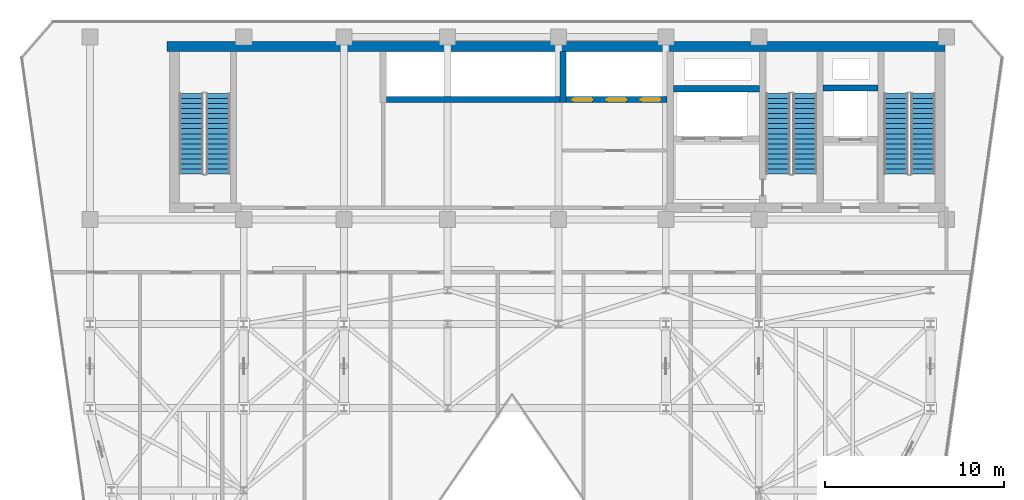
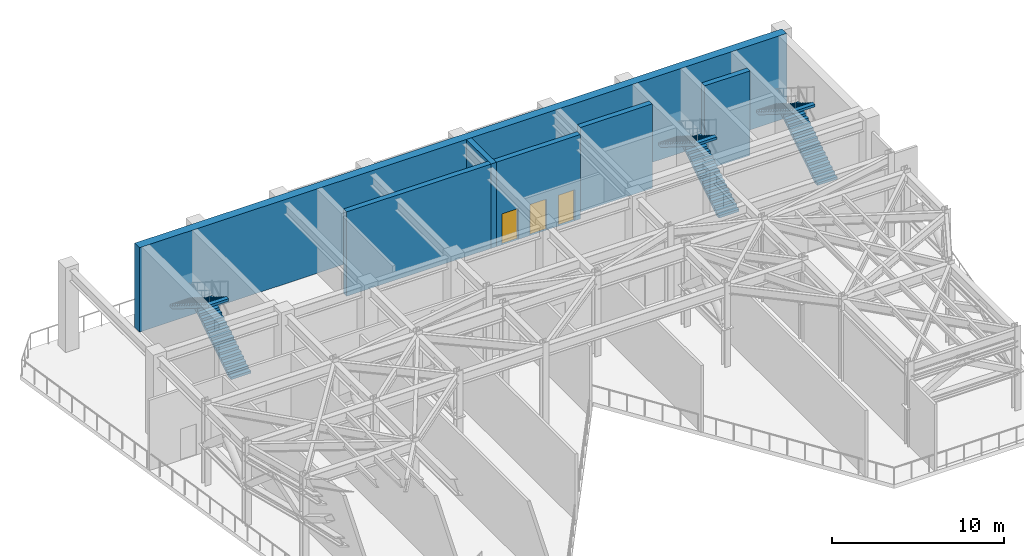
# One storey, part 5 of 12: 6 stair flights, 6 walls, 3 doors, 3 openings, 3 elements without a shape of their own.
"""IFC4 building model written with IfcOpenShell, lengths in metres."""

from ifc_helpers import new_model, si_unit, direction, frame, frame_2d, origin, place, context, subcontext, project, spatial, polyline, rectangle, outline, extrude, material, layer, layer_set, type_object, element, fill, aggregate, save


model = new_model("IFC4")

# Units and contexts
model_context = context("Model", 3, precision=1e-05, world=origin(), true_north=direction((0.0, 1.0)))
body_context = subcontext(model_context, "Body", "Model", "MODEL_VIEW")
ifc_project = project(units=[si_unit("LENGTHUNIT", "METRE"), si_unit("AREAUNIT", "SQUARE_METRE"), si_unit("VOLUMEUNIT", "CUBIC_METRE"), si_unit("PLANEANGLEUNIT", "RADIAN"), si_unit("MASSUNIT", "GRAM", prefix="KILO")], contexts=[model_context])

# Site, building, storey
site_placement = place(None, origin())
site = spatial("IfcSite", under=ifc_project, at=site_placement, CompositionType="ELEMENT")
building_placement = place(site_placement, origin())
building = spatial("IfcBuilding", under=site, at=building_placement, Name="Kravanh Interchange Tower", CompositionType="ELEMENT")
storey_placement = place(building_placement, frame((0.0, 0.0, 225.0)))
storey = spatial("IfcBuildingStorey", under=building, at=storey_placement, Name="L54", CompositionType="ELEMENT", Elevation=225.0)

# Walls
ifc_material_1 = material(Name="Concrete C60/75", Category="concrete")
ifc_layer_1 = layer(ifc_material_1, 0.35009765625)
ifc_layer_set_1 = layer_set([ifc_layer_1], Name="Core Shear Wall Concrete C60/75 350mm")
wall_type_1 = type_object("IfcWallType", Name="Core Shear Wall Concrete C60/75 350mm", PredefinedType="SHEAR", material=ifc_layer_set_1)
wall_1_placement = place(storey_placement, frame((59.60009765625, 44.699951171875, 0.0), z_axis=(0.0, 0.0, 1.0), x_axis=(1.0, 0.0, 0.0)))
element("IfcWall", 1, at=wall_1_placement, inside=storey, type_object=wall_type_1, Name="L54 Service Lift Shaft North Wall", PredefinedType="SHEAR", context=body_context, shape_type="SweptSolid", body=[
    extrude(rectangle(XDim=3.0498046875, YDim=0.35009765625, at=frame_2d((1.52490234375, 0.0))), origin(), (0.0, 0.0, 1.0), 6.0),
])
wall_2_placement = place(storey_placement, frame((51.22509765625, 44.64990234375, 0.0), z_axis=(0.0, 0.0, 1.0), x_axis=(1.0, 0.0, 0.0)))
element("IfcWall", 2, at=wall_2_placement, inside=storey, type_object=wall_type_1, Name="L54 Fire Lift Shaft North Wall", PredefinedType="SHEAR", context=body_context, shape_type="SweptSolid", body=[
    extrude(rectangle(XDim=4.824951171875, YDim=0.35009765625, at=frame_2d((2.41259765625, 0.0))), origin(), (0.0, 0.0, 1.0), 6.0),
])

# Wall, openings, doors
wall_3_placement = place(storey_placement, frame((45.22509765625, 44.050048828125, 0.0), z_axis=(0.0, 0.0, 1.0), x_axis=(1.0, 0.0, 0.0)))
wall_3 = element("IfcWall", 3, at=wall_3_placement, inside=storey, type_object=wall_type_1, Name="L54 High-Rise Lift Shaft South Wall", PredefinedType="SHEAR", context=body_context, shape_type="SweptSolid", body=[
    extrude(rectangle(XDim=5.64990234375, YDim=0.35009765625, at=frame_2d((2.824951171875, 0.0))), origin(), (0.0, 0.0, 1.0), 6.0),
])
opening_1_placement = place(wall_3_placement, frame((0.375, 0.0, 0.0)))
opening_1 = element("IfcOpeningElement", 4, at=opening_1_placement, cuts=wall_3, Name="Opening LD01", PredefinedType="OPENING", context=body_context, shape_type="SweptSolid", body=[
    extrude(rectangle(XDim=1.10009765625, YDim=2.199951171875, at=frame_2d((0.550048828125, 1.10009765625))), frame((0.0, 0.18505859375, 0.0), z_axis=(0.0, -1.0, 0.0), x_axis=(1.0, 0.0, 0.0)), (0.0, 0.0, 1.0), 0.3701171875),
])
opening_2_placement = place(wall_3_placement, frame((2.27490234375, 0.0, 0.0)))
opening_2 = element("IfcOpeningElement", 5, at=opening_2_placement, cuts=wall_3, Name="Opening LD01", PredefinedType="OPENING", context=body_context, shape_type="SweptSolid", body=[
    extrude(rectangle(XDim=1.10009765625, YDim=2.199951171875, at=frame_2d((0.550048828125, 1.10009765625))), frame((0.0, 0.18505859375, 0.0), z_axis=(0.0, -1.0, 0.0), x_axis=(1.0, 0.0, 0.0)), (0.0, 0.0, 1.0), 0.3701171875),
])
opening_3_placement = place(wall_3_placement, frame((4.175048828125, 0.0, 0.0)))
opening_3 = element("IfcOpeningElement", 6, at=opening_3_placement, cuts=wall_3, Name="Opening LD01", PredefinedType="OPENING", context=body_context, shape_type="SweptSolid", body=[
    extrude(rectangle(XDim=1.10009765625, YDim=2.199951171875, at=frame_2d((0.550048828125, 1.10009765625))), frame((0.0, 0.18505859375, 0.0), z_axis=(0.0, -1.0, 0.0), x_axis=(1.0, 0.0, 0.0)), (0.0, 0.0, 1.0), 0.3701171875),
])
ifc_material_2 = material(Name="Stainless Steel 304", Category="steel")
door_type = type_object("IfcDoorType", Name="Passenger Lift Sliding Landing Door 1100x2200", OperationType="DOUBLE_DOOR_SLIDING", PredefinedType="DOOR", material=ifc_material_2)
door_1_placement = place(opening_1_placement, origin())
door_1 = element("IfcDoor", 7, at=door_1_placement, inside=storey, type_object=door_type, Name="L54 Lift LP-H1 Landing Door", OperationType="DOUBLE_DOOR_SLIDING", OverallHeight=2.199951171875, OverallWidth=1.10009765625, PredefinedType="DOOR", context=body_context, shape_type="SweptSolid", body=[
    extrude(rectangle(XDim=1.10009765625, YDim=2.199951171875, at=frame_2d((0.550048828125, 1.10009765625))), frame((0.0, 0.02490234375, 0.0), z_axis=(0.0, -1.0, 0.0), x_axis=(1.0, 0.0, 0.0)), (0.0, 0.0, 1.0), 0.050048828125),
])
fill(opening_1, door_1)
door_2_placement = place(opening_2_placement, origin())
door_2 = element("IfcDoor", 8, at=door_2_placement, inside=storey, type_object=door_type, Name="L54 Lift LP-H2 Landing Door", OperationType="DOUBLE_DOOR_SLIDING", OverallHeight=2.199951171875, OverallWidth=1.10009765625, PredefinedType="DOOR", context=body_context, shape_type="SweptSolid", body=[
    extrude(rectangle(XDim=1.10009765625, YDim=2.199951171875, at=frame_2d((0.550048828125, 1.10009765625))), frame((0.0, 0.02490234375, 0.0), z_axis=(0.0, -1.0, 0.0), x_axis=(1.0, 0.0, 0.0)), (0.0, 0.0, 1.0), 0.050048828125),
])
fill(opening_2, door_2)
door_3_placement = place(opening_3_placement, origin())
door_3 = element("IfcDoor", 9, at=door_3_placement, inside=storey, type_object=door_type, Name="L54 Lift LP-H3 Landing Door", OperationType="DOUBLE_DOOR_SLIDING", OverallHeight=2.199951171875, OverallWidth=1.10009765625, PredefinedType="DOOR", context=body_context, shape_type="SweptSolid", body=[
    extrude(rectangle(XDim=1.10009765625, YDim=2.199951171875, at=frame_2d((0.550048828125, 1.10009765625))), frame((0.0, 0.02490234375, 0.0), z_axis=(0.0, -1.0, 0.0), x_axis=(1.0, 0.0, 0.0)), (0.0, 0.0, 1.0), 0.050048828125),
])
fill(opening_3, door_3)

# Walls
wall_4_placement = place(storey_placement, frame((45.050048828125, 43.875, 0.0), z_axis=(0.0, 0.0, 1.0), x_axis=(0.0, 1.0, 0.0)))
element("IfcWall", 10, at=wall_4_placement, inside=storey, type_object=wall_type_1, Name="L54 High-Rise Lift Shaft West Wall", PredefinedType="SHEAR", context=body_context, shape_type="SweptSolid", body=[
    extrude(rectangle(XDim=2.875, YDim=0.35009765625, at=frame_2d((1.4375, 0.0))), origin(), (0.0, 0.0, 1.0), 6.0),
])
wall_5_placement = place(storey_placement, frame((35.175048828125, 44.050048828125, 0.0), z_axis=(0.0, 0.0, 1.0), x_axis=(1.0, 0.0, 0.0)))
element("IfcWall", 11, at=wall_5_placement, inside=storey, type_object=wall_type_1, Name="L54 Mid-Rise Lift Shaft South Wall", PredefinedType="SHEAR", context=body_context, shape_type="SweptSolid", body=[
    extrude(rectangle(XDim=9.699951171875, YDim=0.35009765625, at=frame_2d((4.85009765625, 0.0))), origin(), (0.0, 0.0, 1.0), 6.0),
])
ifc_material_3 = material(Name="Concrete C70/85", Category="concrete")
ifc_layer_2 = layer(ifc_material_3, 0.550048828125)
ifc_layer_set_2 = layer_set([ifc_layer_2], Name="Core Shear Wall Concrete C70/85 550mm")
wall_type_2 = type_object("IfcWallType", Name="Core Shear Wall Concrete C70/85 550mm", PredefinedType="SHEAR", material=ifc_layer_set_2)
wall_6_placement = place(storey_placement, frame((22.89990234375, 47.02490234375, 0.0), z_axis=(0.0, 0.0, 1.0), x_axis=(1.0, 0.0, 0.0)))
element("IfcWall", 12, at=wall_6_placement, inside=storey, type_object=wall_type_2, Name="L54 North Core Shear Wall", PredefinedType="SHEAR", context=body_context, shape_type="SweptSolid", body=[
    extrude(rectangle(XDim=43.5, YDim=0.550048828125, at=frame_2d((21.75, 0.0))), origin(), (0.0, 0.0, 1.0), 6.0),
])

# Stair, stair flights
ifc_material_4 = material(Name="Concrete C50/60", Category="concrete")
stair_type = type_object("IfcStairType", Name="Core Fire Exit Dogleg Stair Concrete C50/60", PredefinedType="HALF_TURN_STAIR", material=ifc_material_4)
stair_1_placement = place(storey_placement, origin())
stair_1 = element("IfcStair", 13, at=stair_1_placement, inside=storey, type_object=stair_type, Name="L54 Exit Stair ST1", PredefinedType="HALF_TURN_STAIR")
ifc_material_5 = material(Name="Precast Concrete C50/60", Category="concrete")
ifc_layer_3 = layer(ifc_material_5, 0.199951171875)
ifc_layer_set_3 = layer_set([ifc_layer_3], Name="Precast Concrete C50/60 Stair Flight 1350mm")
stair_flight_type = type_object("IfcStairFlightType", Name="Precast Concrete C50/60 Stair Flight 1350mm", PredefinedType="STRAIGHT", material=ifc_layer_set_3)
stair_flight_1_placement = place(storey_placement, frame((65.175048828125, 39.89990234375, 0.0), z_axis=(0.0, 0.0, 1.0), x_axis=(0.0, 1.0, 0.0)))
stair_flight_1 = element("IfcStairFlight", 14, at=stair_flight_1_placement, type_object=stair_flight_type, Name="ST1 flight 1", NumberOfRisers=17, NumberOfTreads=16, PredefinedType="STRAIGHT", RiserHeight=0.176470588, TreadLength=0.28, context=body_context, shape_type="SweptSolid", body=[
    extrude(outline(polyline([(0.0, 0.0), (0.0, 0.176513671875), (0.280029296875, 0.176513671875), (0.280029296875, 0.35302734375), (0.56005859375, 0.35302734375), (0.56005859375, 0.529296875), (0.840087890625, 0.529296875), (0.840087890625, 0.705810546875), (1.1201171875, 0.705810546875), (1.1201171875, 0.88232421875), (1.39990234375, 0.88232421875), (1.39990234375, 1.058837890625), (1.679931640625, 1.058837890625), (1.679931640625, 1.2353515625), (1.9599609375, 1.2353515625), (1.9599609375, 1.411865234375), (2.239990234375, 1.411865234375), (2.239990234375, 1.588134765625), (2.52001953125, 1.588134765625), (2.52001953125, 1.7646484375), (2.800048828125, 1.7646484375), (2.800048828125, 1.941162109375), (3.080078125, 1.941162109375), (3.080078125, 2.11767578125), (3.360107421875, 2.11767578125), (3.360107421875, 2.294189453125), (3.639892578125, 2.294189453125), (3.639892578125, 2.470703125), (3.919921875, 2.470703125), (3.919921875, 2.64697265625), (4.199951171875, 2.64697265625), (4.199951171875, 2.823486328125), (4.47998046875, 2.823486328125), (4.47998046875, 3.0), (4.47998046875, 2.646240234375), (0.28125, 0.0), (0.0, 0.0)])), frame((0.0, 0.675048828125, 0.0), z_axis=(0.0, -1.0, 0.0), x_axis=(1.0, 0.0, 0.0)), (0.0, 0.0, 1.0), 1.35009765625),
])
stair_flight_2_placement = place(storey_placement, frame((63.675048828125, 44.3798828125, 3.0), z_axis=(0.0, 0.0, 1.0), x_axis=(0.0, -1.0, 0.0)))
stair_flight_2 = element("IfcStairFlight", 15, at=stair_flight_2_placement, type_object=stair_flight_type, Name="ST1 flight 2", NumberOfRisers=17, NumberOfTreads=16, PredefinedType="STRAIGHT", RiserHeight=0.176470588, TreadLength=0.28, context=body_context, shape_type="SweptSolid", body=[
    extrude(outline(polyline([(0.0, 0.0), (0.0, 0.176513671875), (0.280029296875, 0.176513671875), (0.280029296875, 0.35302734375), (0.56005859375, 0.35302734375), (0.56005859375, 0.529296875), (0.840087890625, 0.529296875), (0.840087890625, 0.705810546875), (1.1201171875, 0.705810546875), (1.1201171875, 0.88232421875), (1.39990234375, 0.88232421875), (1.39990234375, 1.058837890625), (1.679931640625, 1.058837890625), (1.679931640625, 1.2353515625), (1.9599609375, 1.2353515625), (1.9599609375, 1.411865234375), (2.239990234375, 1.411865234375), (2.239990234375, 1.588134765625), (2.52001953125, 1.588134765625), (2.52001953125, 1.7646484375), (2.800048828125, 1.7646484375), (2.800048828125, 1.941162109375), (3.080078125, 1.941162109375), (3.080078125, 2.11767578125), (3.360107421875, 2.11767578125), (3.360107421875, 2.294189453125), (3.639892578125, 2.294189453125), (3.639892578125, 2.470703125), (3.919921875, 2.470703125), (3.919921875, 2.64697265625), (4.199951171875, 2.64697265625), (4.199951171875, 2.823486328125), (4.47998046875, 2.823486328125), (4.47998046875, 3.0), (4.47998046875, 2.646240234375), (0.28125, 0.0), (0.0, 0.0)])), frame((0.0, 0.675048828125, 0.0), z_axis=(0.0, -1.0, 0.0), x_axis=(1.0, 0.0, 0.0)), (0.0, 0.0, 1.0), 1.35009765625),
])
aggregate(stair_1, [stair_flight_1, stair_flight_2])

stair_2_placement = place(storey_placement, origin())
stair_2 = element("IfcStair", 16, at=stair_2_placement, inside=storey, type_object=stair_type, Name="L54 Exit Stair ST2", PredefinedType="HALF_TURN_STAIR")
stair_flight_3_placement = place(storey_placement, frame((58.574951171875, 39.89990234375, 0.0), z_axis=(0.0, 0.0, 1.0), x_axis=(0.0, 1.0, 0.0)))
stair_flight_3 = element("IfcStairFlight", 17, at=stair_flight_3_placement, type_object=stair_flight_type, Name="ST2 flight 1", NumberOfRisers=17, NumberOfTreads=16, PredefinedType="STRAIGHT", RiserHeight=0.176470588, TreadLength=0.28, context=body_context, shape_type="SweptSolid", body=[
    extrude(outline(polyline([(0.0, 0.0), (0.0, 0.176513671875), (0.280029296875, 0.176513671875), (0.280029296875, 0.35302734375), (0.56005859375, 0.35302734375), (0.56005859375, 0.529296875), (0.840087890625, 0.529296875), (0.840087890625, 0.705810546875), (1.1201171875, 0.705810546875), (1.1201171875, 0.88232421875), (1.39990234375, 0.88232421875), (1.39990234375, 1.058837890625), (1.679931640625, 1.058837890625), (1.679931640625, 1.2353515625), (1.9599609375, 1.2353515625), (1.9599609375, 1.411865234375), (2.239990234375, 1.411865234375), (2.239990234375, 1.588134765625), (2.52001953125, 1.588134765625), (2.52001953125, 1.7646484375), (2.800048828125, 1.7646484375), (2.800048828125, 1.941162109375), (3.080078125, 1.941162109375), (3.080078125, 2.11767578125), (3.360107421875, 2.11767578125), (3.360107421875, 2.294189453125), (3.639892578125, 2.294189453125), (3.639892578125, 2.470703125), (3.919921875, 2.470703125), (3.919921875, 2.64697265625), (4.199951171875, 2.64697265625), (4.199951171875, 2.823486328125), (4.47998046875, 2.823486328125), (4.47998046875, 3.0), (4.47998046875, 2.646240234375), (0.28125, 0.0), (0.0, 0.0)])), frame((0.0, 0.675048828125, 0.0), z_axis=(0.0, -1.0, 0.0), x_axis=(1.0, 0.0, 0.0)), (0.0, 0.0, 1.0), 1.35009765625),
])
stair_flight_4_placement = place(storey_placement, frame((57.074951171875, 44.3798828125, 3.0), z_axis=(0.0, 0.0, 1.0), x_axis=(0.0, -1.0, 0.0)))
stair_flight_4 = element("IfcStairFlight", 18, at=stair_flight_4_placement, type_object=stair_flight_type, Name="ST2 flight 2", NumberOfRisers=17, NumberOfTreads=16, PredefinedType="STRAIGHT", RiserHeight=0.176470588, TreadLength=0.28, context=body_context, shape_type="SweptSolid", body=[
    extrude(outline(polyline([(0.0, 0.0), (0.0, 0.176513671875), (0.280029296875, 0.176513671875), (0.280029296875, 0.35302734375), (0.56005859375, 0.35302734375), (0.56005859375, 0.529296875), (0.840087890625, 0.529296875), (0.840087890625, 0.705810546875), (1.1201171875, 0.705810546875), (1.1201171875, 0.88232421875), (1.39990234375, 0.88232421875), (1.39990234375, 1.058837890625), (1.679931640625, 1.058837890625), (1.679931640625, 1.2353515625), (1.9599609375, 1.2353515625), (1.9599609375, 1.411865234375), (2.239990234375, 1.411865234375), (2.239990234375, 1.588134765625), (2.52001953125, 1.588134765625), (2.52001953125, 1.7646484375), (2.800048828125, 1.7646484375), (2.800048828125, 1.941162109375), (3.080078125, 1.941162109375), (3.080078125, 2.11767578125), (3.360107421875, 2.11767578125), (3.360107421875, 2.294189453125), (3.639892578125, 2.294189453125), (3.639892578125, 2.470703125), (3.919921875, 2.470703125), (3.919921875, 2.64697265625), (4.199951171875, 2.64697265625), (4.199951171875, 2.823486328125), (4.47998046875, 2.823486328125), (4.47998046875, 3.0), (4.47998046875, 2.646240234375), (0.28125, 0.0), (0.0, 0.0)])), frame((0.0, 0.675048828125, 0.0), z_axis=(0.0, -1.0, 0.0), x_axis=(1.0, 0.0, 0.0)), (0.0, 0.0, 1.0), 1.35009765625),
])
aggregate(stair_2, [stair_flight_3, stair_flight_4])

stair_3_placement = place(storey_placement, origin())
stair_3 = element("IfcStair", 19, at=stair_3_placement, inside=storey, type_object=stair_type, Name="L54 Exit Stair ST3", PredefinedType="HALF_TURN_STAIR")
stair_flight_5_placement = place(storey_placement, frame((25.77490234375, 39.89990234375, 0.0), z_axis=(0.0, 0.0, 1.0), x_axis=(0.0, 1.0, 0.0)))
stair_flight_5 = element("IfcStairFlight", 20, at=stair_flight_5_placement, type_object=stair_flight_type, Name="ST3 flight 1", NumberOfRisers=17, NumberOfTreads=16, PredefinedType="STRAIGHT", RiserHeight=0.176470588, TreadLength=0.28, context=body_context, shape_type="SweptSolid", body=[
    extrude(outline(polyline([(0.0, 0.0), (0.0, 0.176513671875), (0.280029296875, 0.176513671875), (0.280029296875, 0.35302734375), (0.56005859375, 0.35302734375), (0.56005859375, 0.529296875), (0.840087890625, 0.529296875), (0.840087890625, 0.705810546875), (1.1201171875, 0.705810546875), (1.1201171875, 0.88232421875), (1.39990234375, 0.88232421875), (1.39990234375, 1.058837890625), (1.679931640625, 1.058837890625), (1.679931640625, 1.2353515625), (1.9599609375, 1.2353515625), (1.9599609375, 1.411865234375), (2.239990234375, 1.411865234375), (2.239990234375, 1.588134765625), (2.52001953125, 1.588134765625), (2.52001953125, 1.7646484375), (2.800048828125, 1.7646484375), (2.800048828125, 1.941162109375), (3.080078125, 1.941162109375), (3.080078125, 2.11767578125), (3.360107421875, 2.11767578125), (3.360107421875, 2.294189453125), (3.639892578125, 2.294189453125), (3.639892578125, 2.470703125), (3.919921875, 2.470703125), (3.919921875, 2.64697265625), (4.199951171875, 2.64697265625), (4.199951171875, 2.823486328125), (4.47998046875, 2.823486328125), (4.47998046875, 3.0), (4.47998046875, 2.646240234375), (0.28125, 0.0), (0.0, 0.0)])), frame((0.0, 0.675048828125, 0.0), z_axis=(0.0, -1.0, 0.0), x_axis=(1.0, 0.0, 0.0)), (0.0, 0.0, 1.0), 1.35009765625),
])
stair_flight_6_placement = place(storey_placement, frame((24.27490234375, 44.3798828125, 3.0), z_axis=(0.0, 0.0, 1.0), x_axis=(0.0, -1.0, 0.0)))
stair_flight_6 = element("IfcStairFlight", 21, at=stair_flight_6_placement, type_object=stair_flight_type, Name="ST3 flight 2", NumberOfRisers=17, NumberOfTreads=16, PredefinedType="STRAIGHT", RiserHeight=0.176470588, TreadLength=0.28, context=body_context, shape_type="SweptSolid", body=[
    extrude(outline(polyline([(0.0, 0.0), (0.0, 0.176513671875), (0.280029296875, 0.176513671875), (0.280029296875, 0.35302734375), (0.56005859375, 0.35302734375), (0.56005859375, 0.529296875), (0.840087890625, 0.529296875), (0.840087890625, 0.705810546875), (1.1201171875, 0.705810546875), (1.1201171875, 0.88232421875), (1.39990234375, 0.88232421875), (1.39990234375, 1.058837890625), (1.679931640625, 1.058837890625), (1.679931640625, 1.2353515625), (1.9599609375, 1.2353515625), (1.9599609375, 1.411865234375), (2.239990234375, 1.411865234375), (2.239990234375, 1.588134765625), (2.52001953125, 1.588134765625), (2.52001953125, 1.7646484375), (2.800048828125, 1.7646484375), (2.800048828125, 1.941162109375), (3.080078125, 1.941162109375), (3.080078125, 2.11767578125), (3.360107421875, 2.11767578125), (3.360107421875, 2.294189453125), (3.639892578125, 2.294189453125), (3.639892578125, 2.470703125), (3.919921875, 2.470703125), (3.919921875, 2.64697265625), (4.199951171875, 2.64697265625), (4.199951171875, 2.823486328125), (4.47998046875, 2.823486328125), (4.47998046875, 3.0), (4.47998046875, 2.646240234375), (0.28125, 0.0), (0.0, 0.0)])), frame((0.0, 0.675048828125, 0.0), z_axis=(0.0, -1.0, 0.0), x_axis=(1.0, 0.0, 0.0)), (0.0, 0.0, 1.0), 1.35009765625),
])
aggregate(stair_3, [stair_flight_5, stair_flight_6])

save(model, "model.ifc")
